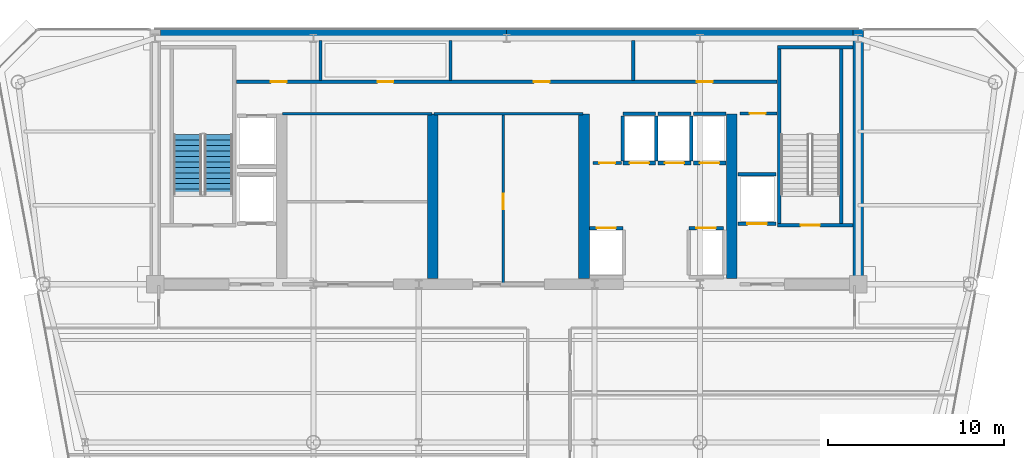
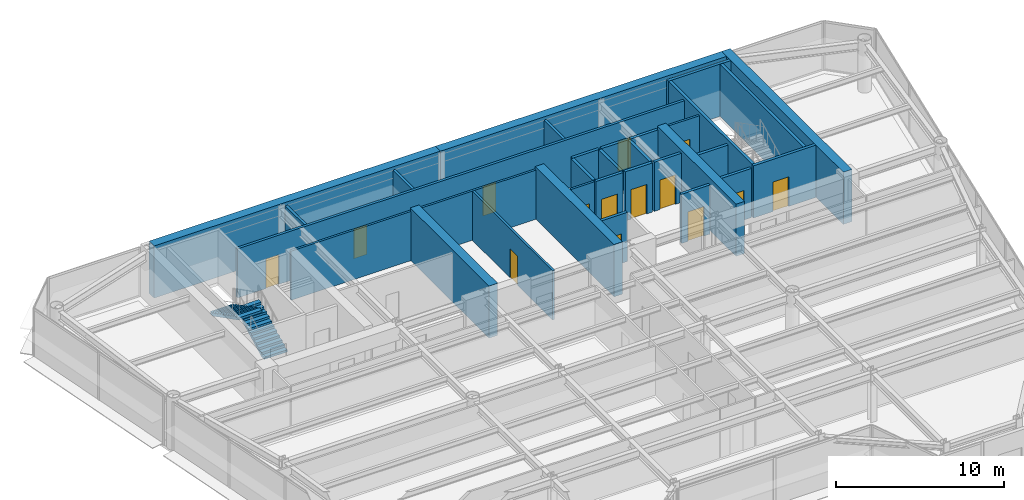
# One storey, part 11 of 16: 32 walls, 14 doors, 2 stair flights, 14 openings, 1 element without a shape of its own.
"""IFC4 building model written with IfcOpenShell, lengths in metres."""

from ifc_helpers import new_model, si_unit, direction, frame, frame_2d, origin, place, context, subcontext, project, spatial, polyline, rectangle, outline, extrude, source, transform, mapped, material, layer, layer_set, type_object, element, fill, aggregate, save


model = new_model("IFC4")

# Units and contexts
model_context = context("Model", 3, precision=1e-05, world=origin(), true_north=direction((0.0, 1.0)))
body_context = subcontext(model_context, "Body", "Model", "MODEL_VIEW")
ifc_project = project(units=[si_unit("LENGTHUNIT", "METRE"), si_unit("AREAUNIT", "SQUARE_METRE"), si_unit("VOLUMEUNIT", "CUBIC_METRE"), si_unit("PLANEANGLEUNIT", "RADIAN"), si_unit("MASSUNIT", "GRAM", prefix="KILO")], contexts=[model_context])

# Site, building, storey
site_placement = place(None, origin())
site = spatial("IfcSite", under=ifc_project, at=site_placement, CompositionType="ELEMENT")
building_placement = place(site_placement, origin())
building = spatial("IfcBuilding", under=site, at=building_placement, Name="Vaeldorn Concourse Tower", CompositionType="ELEMENT")
storey_placement = place(building_placement, frame((0.0, 0.0, 207.0)))
storey = spatial("IfcBuildingStorey", under=building, at=storey_placement, Name="L53", CompositionType="ELEMENT", Elevation=207.0)

# Walls
ifc_material_1 = material(Name="Concrete C50/60", Category="concrete")
ifc_layer_1 = layer(ifc_material_1, 0.60009765625)
ifc_layer_set_1 = layer_set([ifc_layer_1], Name="Concrete C50/60")
wall_type_1 = type_object("IfcWallType", Name="WL-CORE-600", PredefinedType="SHEAR", material=ifc_layer_set_1)
for number, where, z_axis, x_axis, name in (
    (1, (14.303955078125, 50.699951171875, 0.0), (0.0, 0.0, 1.0), (1.0, 0.0, 0.0), "Rear Core Shear Wall L53 N1"),
    (2, (34.001953125, 50.699951171875, 0.0), (0.0, 0.0, 1.0), (1.0, 0.0, 0.0), "Rear Core Shear Wall L53 N2"),
):
    element("IfcWall", number, at=place(storey_placement, frame(where, z_axis=z_axis, x_axis=x_axis)), inside=storey, type_object=wall_type_1, Name=name, PredefinedType="SHEAR", context=body_context, shape_type="SweptSolid", body=[
        extrude(rectangle(XDim=19.694091796875, YDim=0.60009765625, at=frame_2d((9.84716796875, 0.0))), origin(), (0.0, 0.0, 1.0), 3.800048828125),
    ])
wall_1_placement = place(storey_placement, frame((54.0, 36.5, 0.0), z_axis=(0.0, 0.0, 1.0), x_axis=(0.0, 1.0, 0.0)))
element("IfcWall", 3, at=wall_1_placement, inside=storey, type_object=wall_type_1, Name="Rear Core Shear Wall L53 E1", PredefinedType="SHEAR", context=body_context, shape_type="SweptSolid", body=[
    extrude(rectangle(XDim=14.5, YDim=0.60009765625, at=frame_2d((7.25, 0.0))), origin(), (0.0, 0.0, 1.0), 3.800048828125),
])
for number, where, z_axis, x_axis, name in (
    (4, (29.800048828125, 36.820068359375, 0.0), (0.0, 0.0, 1.0), (0.0, 1.0, 0.0), "Rear Core Shear Wall L53 M2"),
    (5, (38.39990234375, 36.820068359375, 0.0), (0.0, 0.0, 1.0), (0.0, 1.0, 0.0), "Rear Core Shear Wall L53 M3"),
    (6, (46.800048828125, 36.820068359375, 0.0), (0.0, 0.0, 1.0), (0.0, 1.0, 0.0), "Rear Core Shear Wall L53 M4"),
):
    element("IfcWall", number, at=place(storey_placement, frame(where, z_axis=z_axis, x_axis=x_axis)), inside=storey, type_object=wall_type_1, Name=name, PredefinedType="SHEAR", context=body_context, shape_type="SweptSolid", body=[
        extrude(rectangle(XDim=9.3798828125, YDim=0.60009765625, at=frame_2d((4.68994140625, 0.0))), origin(), (0.0, 0.0, 1.0), 3.800048828125),
    ])
ifc_material_2 = material(Name="Gypsum Board Partition", Category="gypsum")
ifc_layer_2 = layer(ifc_material_2, 0.14990234375)
ifc_layer_set_2 = layer_set([ifc_layer_2], Name="Gypsum Board Partition")
wall_type_2 = type_object("IfcWallType", Name="WL-PART-150", PredefinedType="PARTITIONING", material=ifc_layer_set_2)
for number, where, z_axis, x_axis, name in (
    (7, (21.25, 46.199951171875, 0.0), (0.0, 0.0, 1.0), (1.0, 0.0, 0.0), "Interior Wall CW-L53-R1N"),
    (8, (29.85009765625, 46.199951171875, 0.0), (0.0, 0.0, 1.0), (1.0, 0.0, 0.0), "Interior Wall CW-L53-R2N"),
):
    element("IfcWall", number, at=place(storey_placement, frame(where, z_axis=z_axis, x_axis=x_axis)), inside=storey, type_object=wall_type_2, Name=name, PredefinedType="PARTITIONING", context=body_context, shape_type="SweptSolid", body=[
        extrude(rectangle(XDim=8.5, YDim=0.14990234375, at=frame_2d((4.25, 0.0))), origin(), (0.0, 0.0, 1.0), 3.580078125),
    ])

# Wall, opening, door
wall_2_placement = place(storey_placement, frame((33.800048828125, 36.56005859375, 0.0), z_axis=(0.0, 0.0, 1.0), x_axis=(0.0, 1.0, 0.0)))
wall_2 = element("IfcWall", 9, at=wall_2_placement, inside=storey, type_object=wall_type_2, Name="Interior Wall CW-L53-R2M", PredefinedType="PARTITIONING", context=body_context, shape_type="SweptSolid", body=[
    extrude(rectangle(XDim=9.579833984375, YDim=0.14990234375, at=frame_2d((4.7900390625, 0.0))), origin(), (0.0, 0.0, 1.0), 3.580078125),
])
opening_1_placement = place(wall_2_placement, frame((4.199951171875, 0.0, 0.0)))
opening_1 = element("IfcOpeningElement", 10, at=opening_1_placement, cuts=wall_2, Name="Opening D-02", PredefinedType="OPENING", context=body_context, shape_type="SweptSolid", body=[
    extrude(rectangle(XDim=0.89990234375, YDim=2.10009765625, at=frame_2d((0.449951171875, 1.050048828125))), frame((0.0, 0.0849609375, 0.0), z_axis=(0.0, -1.0, 0.0), x_axis=(1.0, 0.0, 0.0)), (0.0, 0.0, 1.0), 0.169921875),
])
ifc_material_3 = material(Name="Fire-Rated Timber Leaf", Category="wood")
door_type_1 = type_object("IfcDoorType", Name="DR-FD30-900", OperationType="NOTDEFINED", PredefinedType="DOOR", material=ifc_material_3)
shared_shape_1 = source(origin(), body_context, "Body", "SweptSolid", [
    extrude(rectangle(XDim=0.89990234375, YDim=2.10009765625, at=frame_2d((0.449951171875, 1.050048828125))), frame((0.0, 0.02490234375, 0.0), z_axis=(0.0, -1.0, 0.0), x_axis=(1.0, 0.0, 0.0)), (0.0, 0.0, 1.0), 0.050048828125),
])
door_1_placement = place(opening_1_placement, origin())
door_1 = element("IfcDoor", 11, at=door_1_placement, inside=storey, type_object=door_type_1, Name="Interior Door DR-L53-R2E", OperationType="SINGLE_SWING_RIGHT", OverallHeight=2.10009765625, OverallWidth=0.89990234375, PredefinedType="DOOR", context=body_context, shape_type="MappedRepresentation", body=[
    mapped(shared_shape_1, transform((0.0, 0.0, 0.0), scale=1.0)),
])
fill(opening_1, door_1)

wall_3_placement = place(storey_placement, frame((47.280029296875, 46.219970703125, 0.0), z_axis=(0.0, 0.0, 1.0), x_axis=(1.0, 0.0, 0.0)))
wall_3 = element("IfcWall", 12, at=wall_3_placement, inside=storey, type_object=wall_type_2, Name="Interior Wall CW-L53-CRSE-N", PredefinedType="PARTITIONING", context=body_context, shape_type="SweptSolid", body=[
    extrude(rectangle(XDim=2.099853515625, YDim=0.14990234375, at=frame_2d((1.0498046875, 0.0))), origin(), (0.0, 0.0, 1.0), 3.580078125),
])
opening_2_placement = place(wall_3_placement, frame((0.550048828125, 0.0, 0.0)))
opening_2 = element("IfcOpeningElement", 13, at=opening_2_placement, cuts=wall_3, Name="Opening D-02", PredefinedType="OPENING", context=body_context, shape_type="SweptSolid", body=[
    extrude(rectangle(XDim=0.89990234375, YDim=2.10009765625, at=frame_2d((0.449951171875, 1.050048828125))), frame((0.0, 0.0849609375, 0.0), z_axis=(0.0, -1.0, 0.0), x_axis=(1.0, 0.0, 0.0)), (0.0, 0.0, 1.0), 0.169921875),
])
door_2_placement = place(opening_2_placement, origin())
door_2 = element("IfcDoor", 14, at=door_2_placement, inside=storey, type_object=door_type_1, Name="Interior Door DR-L53-CRSE", OperationType="SINGLE_SWING_RIGHT", OverallHeight=2.10009765625, OverallWidth=0.89990234375, PredefinedType="DOOR", context=body_context, shape_type="MappedRepresentation", body=[
    mapped(shared_shape_1, transform((0.0, 0.0, 0.0), scale=1.0)),
])
fill(opening_2, door_2)

wall_4_placement = place(storey_placement, frame((38.919921875, 43.39990234375, 0.0), z_axis=(0.0, 0.0, 1.0), x_axis=(1.0, 0.0, 0.0)))
wall_4 = element("IfcWall", 15, at=wall_4_placement, inside=storey, type_object=wall_type_2, Name="Interior Wall CW-L53-CCLINK", PredefinedType="PARTITIONING", context=body_context, shape_type="SweptSolid", body=[
    extrude(rectangle(XDim=1.60009765625, YDim=0.14990234375, at=frame_2d((0.800048828125, 0.0))), origin(), (0.0, 0.0, 1.0), 3.580078125),
])
opening_3_placement = place(wall_4_placement, frame((0.35009765625, 0.0, 0.0)))
opening_3 = element("IfcOpeningElement", 16, at=opening_3_placement, cuts=wall_4, Name="Opening D-02", PredefinedType="OPENING", context=body_context, shape_type="SweptSolid", body=[
    extrude(rectangle(XDim=0.89990234375, YDim=2.10009765625, at=frame_2d((0.449951171875, 1.050048828125))), frame((0.0, 0.0849609375, 0.0), z_axis=(0.0, -1.0, 0.0), x_axis=(1.0, 0.0, 0.0)), (0.0, 0.0, 1.0), 0.169921875),
])
door_3_placement = place(opening_3_placement, origin())
door_3 = element("IfcDoor", 17, at=door_3_placement, inside=storey, type_object=door_type_1, Name="Interior Door DR-L53-CCLINK", OperationType="SINGLE_SWING_LEFT", OverallHeight=2.10009765625, OverallWidth=0.89990234375, PredefinedType="DOOR", context=body_context, shape_type="MappedRepresentation", body=[
    mapped(shared_shape_1, transform((0.0, 0.0, 0.0), scale=1.0)),
])
fill(opening_3, door_3)

# Wall, openings, doors
ifc_layer_3 = layer(ifc_material_2, 0.179931640625)
ifc_layer_set_3 = layer_set([ifc_layer_3], Name="Gypsum Board Partition")
wall_type_3 = type_object("IfcWallType", Name="WL-PLUMB-180", PredefinedType="PLUMBINGWALL", material=ifc_layer_set_3)
wall_5_placement = place(storey_placement, frame((18.6201171875, 48.02001953125, 0.0), z_axis=(0.0, 0.0, 1.0), x_axis=(1.0, 0.0, 0.0)))
wall_5 = element("IfcWall", 18, at=wall_5_placement, inside=storey, type_object=wall_type_3, Name="Interior Wall CW-L53-NS0", PredefinedType="PLUMBINGWALL", context=body_context, shape_type="SweptSolid", body=[
    extrude(rectangle(XDim=30.759765625, YDim=0.179931640625, at=frame_2d((15.3798828125, 0.0))), origin(), (0.0, 0.0, 1.0), 3.580078125),
])
opening_4_placement = place(wall_5_placement, frame((1.955078125, 0.0, 0.0)))
opening_4 = element("IfcOpeningElement", 19, at=opening_4_placement, cuts=wall_5, Name="Opening D-03", PredefinedType="OPENING", context=body_context, shape_type="SweptSolid", body=[
    extrude(rectangle(XDim=0.89990234375, YDim=2.14990234375, at=frame_2d((0.449951171875, 1.074951171875))), frame((0.0, 0.10009765625, 0.0), z_axis=(0.0, -1.0, 0.0), x_axis=(1.0, 0.0, 0.0)), (0.0, 0.0, 1.0), 0.199951171875),
])
opening_5_placement = place(wall_5_placement, frame((8.030029296875, 0.0, 0.0)))
opening_5 = element("IfcOpeningElement", 20, at=opening_5_placement, cuts=wall_5, Name="Opening D-03", PredefinedType="OPENING", context=body_context, shape_type="SweptSolid", body=[
    extrude(rectangle(XDim=0.89990234375, YDim=2.14990234375, at=frame_2d((0.449951171875, 1.074951171875))), frame((0.0, 0.10009765625, 0.0), z_axis=(0.0, -1.0, 0.0), x_axis=(1.0, 0.0, 0.0)), (0.0, 0.0, 1.0), 0.199951171875),
])
opening_6_placement = place(wall_5_placement, frame((16.929931640625, 0.0, 0.0)))
opening_6 = element("IfcOpeningElement", 21, at=opening_6_placement, cuts=wall_5, Name="Opening D-03", PredefinedType="OPENING", context=body_context, shape_type="SweptSolid", body=[
    extrude(rectangle(XDim=0.89990234375, YDim=2.14990234375, at=frame_2d((0.449951171875, 1.074951171875))), frame((0.0, 0.10009765625, 0.0), z_axis=(0.0, -1.0, 0.0), x_axis=(1.0, 0.0, 0.0)), (0.0, 0.0, 1.0), 0.199951171875),
])
opening_7_placement = place(wall_5_placement, frame((26.205078125, 0.0, 0.0)))
opening_7 = element("IfcOpeningElement", 22, at=opening_7_placement, cuts=wall_5, Name="Opening D-03", PredefinedType="OPENING", context=body_context, shape_type="SweptSolid", body=[
    extrude(rectangle(XDim=0.89990234375, YDim=2.14990234375, at=frame_2d((0.449951171875, 1.074951171875))), frame((0.0, 0.10009765625, 0.0), z_axis=(0.0, -1.0, 0.0), x_axis=(1.0, 0.0, 0.0)), (0.0, 0.0, 1.0), 0.199951171875),
])
ifc_material_4 = material(Name="Acoustic Bronze-Framed Glass Door", Category="glass")
door_type_2 = type_object("IfcDoorType", Name="DR-INT-900", OperationType="NOTDEFINED", PredefinedType="DOOR", material=ifc_material_4)
shared_shape_2 = source(origin(), body_context, "Body", "SweptSolid", [
    extrude(rectangle(XDim=0.89990234375, YDim=2.14990234375, at=frame_2d((0.449951171875, 1.074951171875))), frame((0.0, 0.02490234375, 0.0), z_axis=(0.0, -1.0, 0.0), x_axis=(1.0, 0.0, 0.0)), (0.0, 0.0, 1.0), 0.050048828125),
])
door_4_placement = place(opening_4_placement, origin())
door_4 = element("IfcDoor", 23, at=door_4_placement, inside=storey, type_object=door_type_2, Name="Interior Door DR-L53-CS1", OperationType="SINGLE_SWING_LEFT", OverallHeight=2.14990234375, OverallWidth=0.89990234375, PredefinedType="DOOR", context=body_context, shape_type="MappedRepresentation", body=[
    mapped(shared_shape_2, transform((0.0, 0.0, 0.0), scale=1.0)),
])
fill(opening_4, door_4)
door_5_placement = place(opening_5_placement, origin())
door_5 = element("IfcDoor", 24, at=door_5_placement, inside=storey, type_object=door_type_2, Name="Interior Door DR-L53-CS2", OperationType="SINGLE_SWING_RIGHT", OverallHeight=2.14990234375, OverallWidth=0.89990234375, PredefinedType="DOOR", context=body_context, shape_type="MappedRepresentation", body=[
    mapped(shared_shape_2, transform((0.0, 0.0, 0.0), scale=1.0)),
])
fill(opening_5, door_5)
door_6_placement = place(opening_6_placement, origin())
door_6 = element("IfcDoor", 25, at=door_6_placement, inside=storey, type_object=door_type_2, Name="Interior Door DR-L53-CS3", OperationType="SINGLE_SWING_LEFT", OverallHeight=2.14990234375, OverallWidth=0.89990234375, PredefinedType="DOOR", context=body_context, shape_type="MappedRepresentation", body=[
    mapped(shared_shape_2, transform((0.0, 0.0, 0.0), scale=1.0)),
])
fill(opening_6, door_6)
door_7_placement = place(opening_7_placement, origin())
door_7 = element("IfcDoor", 26, at=door_7_placement, inside=storey, type_object=door_type_2, Name="Interior Door DR-L53-CS4", OperationType="SINGLE_SWING_RIGHT", OverallHeight=2.14990234375, OverallWidth=0.89990234375, PredefinedType="DOOR", context=body_context, shape_type="MappedRepresentation", body=[
    mapped(shared_shape_2, transform((0.0, 0.0, 0.0), scale=1.0)),
])
fill(opening_7, door_7)

# Walls
for number, where, z_axis, x_axis, name in (
    (27, (23.39990234375, 48.10009765625, 0.0), (0.0, 0.0, 1.0), (0.0, 1.0, 0.0), "Interior Wall CW-L53-NDIV1"),
    (28, (30.800048828125, 48.10009765625, 0.0), (0.0, 0.0, 1.0), (0.0, 1.0, 0.0), "Interior Wall CW-L53-NDIV2"),
    (29, (41.199951171875, 48.10009765625, 0.0), (0.0, 0.0, 1.0), (0.0, 1.0, 0.0), "Interior Wall CW-L53-NDIV3"),
):
    element("IfcWall", number, at=place(storey_placement, frame(where, z_axis=z_axis, x_axis=x_axis)), inside=storey, type_object=wall_type_3, Name=name, PredefinedType="PLUMBINGWALL", context=body_context, shape_type="SweptSolid", body=[
        extrude(rectangle(XDim=2.27978515625, YDim=0.179931640625, at=frame_2d((1.139892578125, 0.0))), origin(), (0.0, 0.0, 1.0), 3.580078125),
    ])

# Wall, opening, door
ifc_layer_4 = layer(ifc_material_1, 0.199951171875)
ifc_layer_set_4 = layer_set([ifc_layer_4], Name="Concrete C50/60")
wall_type_4 = type_object("IfcWallType", Name="WL-SHAFT-200", PredefinedType="SOLIDWALL", material=ifc_layer_set_4)
wall_6_placement = place(storey_placement, frame((49.39990234375, 39.85009765625, 0.0), z_axis=(0.0, 0.0, 1.0), x_axis=(1.0, 0.0, 0.0)))
wall_6 = element("IfcWall", 30, at=wall_6_placement, inside=storey, type_object=wall_type_4, Name="Stair Shaft Wall CW-L53-ST-2-S", PredefinedType="SOLIDWALL", context=body_context, shape_type="SweptSolid", body=[
    extrude(rectangle(XDim=4.300048828125, YDim=0.199951171875, at=frame_2d((2.14990234375, 0.0))), origin(), (0.0, 0.0, 1.0), 3.800048828125),
])
opening_8_placement = place(wall_6_placement, frame((1.324951171875, 0.0, 0.0)))
opening_8 = element("IfcOpeningElement", 31, at=opening_8_placement, cuts=wall_6, Name="Opening D-01", PredefinedType="OPENING", context=body_context, shape_type="SweptSolid", body=[
    extrude(rectangle(XDim=1.10009765625, YDim=2.14990234375, at=frame_2d((0.550048828125, 1.074951171875))), frame((0.0, 0.10986328125, 0.0), z_axis=(0.0, -1.0, 0.0), x_axis=(1.0, 0.0, 0.0)), (0.0, 0.0, 1.0), 0.219970703125),
])
ifc_material_5 = material(Name="Fire-Rated Timber and Steel Leaf", Category="steel")
door_type_3 = type_object("IfcDoorType", Name="DR-FD60-1100", OperationType="NOTDEFINED", PredefinedType="DOOR", material=ifc_material_5)
shared_shape_3 = source(origin(), body_context, "Body", "SweptSolid", [
    extrude(rectangle(XDim=1.10009765625, YDim=2.14990234375, at=frame_2d((0.550048828125, 1.074951171875))), frame((0.0, 0.02490234375, 0.0), z_axis=(0.0, -1.0, 0.0), x_axis=(1.0, 0.0, 0.0)), (0.0, 0.0, 1.0), 0.050048828125),
])
door_8_placement = place(opening_8_placement, origin())
door_8 = element("IfcDoor", 32, at=door_8_placement, inside=storey, type_object=door_type_3, Name="Interior Door DR-L53-ST-2", OperationType="SINGLE_SWING_RIGHT", OverallHeight=2.14990234375, OverallWidth=1.10009765625, PredefinedType="DOOR", context=body_context, shape_type="MappedRepresentation", body=[
    mapped(shared_shape_3, transform((0.0, 0.0, 0.0), scale=1.0)),
])
fill(opening_8, door_8)

# Walls
wall_7_placement = place(storey_placement, frame((49.39990234375, 50.0, 0.0), z_axis=(0.0, 0.0, 1.0), x_axis=(1.0, 0.0, 0.0)))
element("IfcWall", 33, at=wall_7_placement, inside=storey, type_object=wall_type_4, Name="Stair Shaft Wall CW-L53-ST-2-N", PredefinedType="SOLIDWALL", context=body_context, shape_type="SweptSolid", body=[
    extrude(rectangle(XDim=4.300048828125, YDim=0.199951171875, at=frame_2d((2.14990234375, 0.0))), origin(), (0.0, 0.0, 1.0), 3.800048828125),
])
for number, where, z_axis, x_axis, name in (
    (34, (49.5, 39.9599609375, 0.0), (0.0, 0.0, 1.0), (0.0, 1.0, 0.0), "Stair Shaft Wall CW-L53-ST-2-W"),
    (35, (53.050048828125, 39.9599609375, 0.0), (0.0, 0.0, 1.0), (0.0, 1.0, 0.0), "Stair Shaft Wall CW-L53-ST-2-E"),
):
    element("IfcWall", number, at=place(storey_placement, frame(where, z_axis=z_axis, x_axis=x_axis)), inside=storey, type_object=wall_type_4, Name=name, PredefinedType="SOLIDWALL", context=body_context, shape_type="SweptSolid", body=[
        extrude(rectangle(XDim=9.929931640625, YDim=0.199951171875, at=frame_2d((4.96484375, 0.0))), origin(), (0.0, 0.0, 1.0), 3.800048828125),
    ])

# Wall, opening, door
wall_8_placement = place(storey_placement, frame((38.7099609375, 39.699951171875, 0.0), z_axis=(0.0, 0.0, 1.0), x_axis=(1.0, 0.0, 0.0)))
wall_8 = element("IfcWall", 36, at=wall_8_placement, inside=storey, type_object=wall_type_4, Name="Interior Wall CW-L53-LF-LF-13", PredefinedType="SOLIDWALL", context=body_context, shape_type="SweptSolid", body=[
    extrude(rectangle(XDim=1.919921875, YDim=0.199951171875, at=frame_2d((0.9599609375, 0.0))), origin(), (0.0, 0.0, 1.0), 3.580078125),
])
opening_9_placement = place(wall_8_placement, frame((0.409912109375, 0.0, 0.0)))
opening_9 = element("IfcOpeningElement", 37, at=opening_9_placement, cuts=wall_8, Name="Opening LD-1", PredefinedType="OPENING", context=body_context, shape_type="SweptSolid", body=[
    extrude(rectangle(XDim=1.10009765625, YDim=2.14990234375, at=frame_2d((0.550048828125, 1.074951171875))), frame((0.0, 0.10986328125, 0.0), z_axis=(0.0, -1.0, 0.0), x_axis=(1.0, 0.0, 0.0)), (0.0, 0.0, 1.0), 0.219970703125),
])
ifc_material_6 = material(Name="Anodised Bronze Aluminium", Category="aluminium")
door_type_4 = type_object("IfcDoorType", Name="DR-LIFT-SLIDE-1100", OperationType="DOUBLE_DOOR_SLIDING", PredefinedType="DOOR", material=ifc_material_6)
door_9_placement = place(opening_9_placement, origin())
door_9 = element("IfcDoor", 38, at=door_9_placement, inside=storey, type_object=door_type_4, Name="Lift Landing Door LD-L53-LF-13", OperationType="DOUBLE_DOOR_SLIDING", OverallHeight=2.14990234375, OverallWidth=1.10009765625, PredefinedType="DOOR", context=body_context, shape_type="MappedRepresentation", body=[
    mapped(shared_shape_3, transform((0.0, 0.0, 0.0), scale=1.0)),
])
fill(opening_9, door_9)

wall_9_placement = place(storey_placement, frame((44.3701171875, 39.699951171875, 0.0), z_axis=(0.0, 0.0, 1.0), x_axis=(1.0, 0.0, 0.0)))
wall_9 = element("IfcWall", 39, at=wall_9_placement, inside=storey, type_object=wall_type_4, Name="Interior Wall CW-L53-LF-LF-14", PredefinedType="SOLIDWALL", context=body_context, shape_type="SweptSolid", body=[
    extrude(rectangle(XDim=1.9599609375, YDim=0.199951171875, at=frame_2d((0.97998046875, 0.0))), origin(), (0.0, 0.0, 1.0), 3.580078125),
])
opening_10_placement = place(wall_9_placement, frame((0.429931640625, 0.0, 0.0)))
opening_10 = element("IfcOpeningElement", 40, at=opening_10_placement, cuts=wall_9, Name="Opening LD-1", PredefinedType="OPENING", context=body_context, shape_type="SweptSolid", body=[
    extrude(rectangle(XDim=1.10009765625, YDim=2.14990234375, at=frame_2d((0.550048828125, 1.074951171875))), frame((0.0, 0.10986328125, 0.0), z_axis=(0.0, -1.0, 0.0), x_axis=(1.0, 0.0, 0.0)), (0.0, 0.0, 1.0), 0.219970703125),
])
door_10_placement = place(opening_10_placement, origin())
door_10 = element("IfcDoor", 41, at=door_10_placement, inside=storey, type_object=door_type_4, Name="Lift Landing Door LD-L53-LF-14", OperationType="DOUBLE_DOOR_SLIDING", OverallHeight=2.14990234375, OverallWidth=1.10009765625, PredefinedType="DOOR", context=body_context, shape_type="MappedRepresentation", body=[
    mapped(shared_shape_3, transform((0.0, 0.0, 0.0), scale=1.0)),
])
fill(opening_10, door_10)

wall_10_placement = place(storey_placement, frame((40.6201171875, 43.39990234375, 0.0), z_axis=(0.0, 0.0, 1.0), x_axis=(1.0, 0.0, 0.0)))
wall_10 = element("IfcWall", 42, at=wall_10_placement, inside=storey, type_object=wall_type_4, Name="Interior Wall CW-L53-LF-LF-15", PredefinedType="SOLIDWALL", context=body_context, shape_type="SweptSolid", body=[
    extrude(rectangle(XDim=1.85986328125, YDim=0.199951171875, at=frame_2d((0.929931640625, 0.0))), origin(), (0.0, 0.0, 1.0), 3.580078125),
])
opening_11_placement = place(wall_10_placement, frame((0.3798828125, 0.0, 0.0)))
opening_11 = element("IfcOpeningElement", 43, at=opening_11_placement, cuts=wall_10, Name="Opening LD-1", PredefinedType="OPENING", context=body_context, shape_type="SweptSolid", body=[
    extrude(rectangle(XDim=1.10009765625, YDim=2.14990234375, at=frame_2d((0.550048828125, 1.074951171875))), frame((0.0, 0.10986328125, 0.0), z_axis=(0.0, -1.0, 0.0), x_axis=(1.0, 0.0, 0.0)), (0.0, 0.0, 1.0), 0.219970703125),
])
door_11_placement = place(opening_11_placement, origin())
door_11 = element("IfcDoor", 44, at=door_11_placement, inside=storey, type_object=door_type_4, Name="Lift Landing Door LD-L53-LF-15", OperationType="DOUBLE_DOOR_SLIDING", OverallHeight=2.14990234375, OverallWidth=1.10009765625, PredefinedType="DOOR", context=body_context, shape_type="MappedRepresentation", body=[
    mapped(shared_shape_3, transform((0.0, 0.0, 0.0), scale=1.0)),
])
fill(opening_11, door_11)

# Walls
wall_11_placement = place(storey_placement, frame((40.6201171875, 46.199951171875, 0.0), z_axis=(0.0, 0.0, 1.0), x_axis=(1.0, 0.0, 0.0)))
element("IfcWall", 45, at=wall_11_placement, inside=storey, type_object=wall_type_4, Name="Interior Wall CW-L53-LFB-LF-15", PredefinedType="SOLIDWALL", context=body_context, shape_type="SweptSolid", body=[
    extrude(rectangle(XDim=1.85986328125, YDim=0.199951171875, at=frame_2d((0.929931640625, 0.0))), origin(), (0.0, 0.0, 1.0), 3.580078125),
])
for number, where, z_axis, x_axis, name in (
    (46, (40.60009765625, 43.52001953125, 0.0), (0.0, 0.0, 1.0), (0.0, 1.0, 0.0), "Interior Wall CW-L53-LFW-LF-15"),
    (47, (42.5, 43.52001953125, 0.0), (0.0, 0.0, 1.0), (0.0, 1.0, 0.0), "Interior Wall CW-L53-LFE-LF-15"),
):
    element("IfcWall", number, at=place(storey_placement, frame(where, z_axis=z_axis, x_axis=x_axis)), inside=storey, type_object=wall_type_4, Name=name, PredefinedType="SOLIDWALL", context=body_context, shape_type="SweptSolid", body=[
        extrude(rectangle(XDim=2.56005859375, YDim=0.199951171875, at=frame_2d((1.280029296875, 0.0))), origin(), (0.0, 0.0, 1.0), 3.580078125),
    ])

# Wall, opening, door
wall_12_placement = place(storey_placement, frame((42.6201171875, 43.39990234375, 0.0), z_axis=(0.0, 0.0, 1.0), x_axis=(1.0, 0.0, 0.0)))
wall_12 = element("IfcWall", 48, at=wall_12_placement, inside=storey, type_object=wall_type_4, Name="Interior Wall CW-L53-LF-LF-16", PredefinedType="SOLIDWALL", context=body_context, shape_type="SweptSolid", body=[
    extrude(rectangle(XDim=1.85986328125, YDim=0.199951171875, at=frame_2d((0.929931640625, 0.0))), origin(), (0.0, 0.0, 1.0), 3.580078125),
])
opening_12_placement = place(wall_12_placement, frame((0.3798828125, 0.0, 0.0)))
opening_12 = element("IfcOpeningElement", 49, at=opening_12_placement, cuts=wall_12, Name="Opening LD-1", PredefinedType="OPENING", context=body_context, shape_type="SweptSolid", body=[
    extrude(rectangle(XDim=1.10009765625, YDim=2.14990234375, at=frame_2d((0.550048828125, 1.074951171875))), frame((0.0, 0.10986328125, 0.0), z_axis=(0.0, -1.0, 0.0), x_axis=(1.0, 0.0, 0.0)), (0.0, 0.0, 1.0), 0.219970703125),
])
door_12_placement = place(opening_12_placement, origin())
door_12 = element("IfcDoor", 50, at=door_12_placement, inside=storey, type_object=door_type_4, Name="Lift Landing Door LD-L53-LF-16", OperationType="DOUBLE_DOOR_SLIDING", OverallHeight=2.14990234375, OverallWidth=1.10009765625, PredefinedType="DOOR", context=body_context, shape_type="MappedRepresentation", body=[
    mapped(shared_shape_3, transform((0.0, 0.0, 0.0), scale=1.0)),
])
fill(opening_12, door_12)

# Walls
wall_13_placement = place(storey_placement, frame((42.6201171875, 46.199951171875, 0.0), z_axis=(0.0, 0.0, 1.0), x_axis=(1.0, 0.0, 0.0)))
element("IfcWall", 51, at=wall_13_placement, inside=storey, type_object=wall_type_4, Name="Interior Wall CW-L53-LFB-LF-16", PredefinedType="SOLIDWALL", context=body_context, shape_type="SweptSolid", body=[
    extrude(rectangle(XDim=1.85986328125, YDim=0.199951171875, at=frame_2d((0.929931640625, 0.0))), origin(), (0.0, 0.0, 1.0), 3.580078125),
])
wall_14_placement = place(storey_placement, frame((44.5, 43.52001953125, 0.0), z_axis=(0.0, 0.0, 1.0), x_axis=(0.0, 1.0, 0.0)))
element("IfcWall", 52, at=wall_14_placement, inside=storey, type_object=wall_type_4, Name="Interior Wall CW-L53-LFE-LF-16", PredefinedType="SOLIDWALL", context=body_context, shape_type="SweptSolid", body=[
    extrude(rectangle(XDim=2.56005859375, YDim=0.199951171875, at=frame_2d((1.280029296875, 0.0))), origin(), (0.0, 0.0, 1.0), 3.580078125),
])

# Wall, opening, door
wall_15_placement = place(storey_placement, frame((44.6201171875, 43.39990234375, 0.0), z_axis=(0.0, 0.0, 1.0), x_axis=(1.0, 0.0, 0.0)))
wall_15 = element("IfcWall", 53, at=wall_15_placement, inside=storey, type_object=wall_type_4, Name="Interior Wall CW-L53-LF-LF-17", PredefinedType="SOLIDWALL", context=body_context, shape_type="SweptSolid", body=[
    extrude(rectangle(XDim=1.85986328125, YDim=0.199951171875, at=frame_2d((0.929931640625, 0.0))), origin(), (0.0, 0.0, 1.0), 3.580078125),
])
opening_13_placement = place(wall_15_placement, frame((0.3798828125, 0.0, 0.0)))
opening_13 = element("IfcOpeningElement", 54, at=opening_13_placement, cuts=wall_15, Name="Opening LD-1", PredefinedType="OPENING", context=body_context, shape_type="SweptSolid", body=[
    extrude(rectangle(XDim=1.10009765625, YDim=2.14990234375, at=frame_2d((0.550048828125, 1.074951171875))), frame((0.0, 0.10986328125, 0.0), z_axis=(0.0, -1.0, 0.0), x_axis=(1.0, 0.0, 0.0)), (0.0, 0.0, 1.0), 0.219970703125),
])
door_13_placement = place(opening_13_placement, origin())
door_13 = element("IfcDoor", 55, at=door_13_placement, inside=storey, type_object=door_type_4, Name="Lift Landing Door LD-L53-LF-17", OperationType="DOUBLE_DOOR_SLIDING", OverallHeight=2.14990234375, OverallWidth=1.10009765625, PredefinedType="DOOR", context=body_context, shape_type="MappedRepresentation", body=[
    mapped(shared_shape_3, transform((0.0, 0.0, 0.0), scale=1.0)),
])
fill(opening_13, door_13)

# Wall
wall_16_placement = place(storey_placement, frame((44.6201171875, 46.199951171875, 0.0), z_axis=(0.0, 0.0, 1.0), x_axis=(1.0, 0.0, 0.0)))
element("IfcWall", 56, at=wall_16_placement, inside=storey, type_object=wall_type_4, Name="Interior Wall CW-L53-LFB-LF-17", PredefinedType="SOLIDWALL", context=body_context, shape_type="SweptSolid", body=[
    extrude(rectangle(XDim=1.85986328125, YDim=0.199951171875, at=frame_2d((0.929931640625, 0.0))), origin(), (0.0, 0.0, 1.0), 3.580078125),
])

# Wall, opening, door
wall_17_placement = place(storey_placement, frame((47.169921875, 39.949951171875, 0.0), z_axis=(0.0, 0.0, 1.0), x_axis=(1.0, 0.0, 0.0)))
wall_17 = element("IfcWall", 57, at=wall_17_placement, inside=storey, type_object=wall_type_4, Name="Interior Wall CW-L53-LF-LF-FF2", PredefinedType="SOLIDWALL", context=body_context, shape_type="SweptSolid", body=[
    extrude(rectangle(XDim=2.16015625, YDim=0.199951171875, at=frame_2d((1.080078125, 0.0))), origin(), (0.0, 0.0, 1.0), 3.580078125),
])
opening_14_placement = place(wall_17_placement, frame((0.530029296875, 0.0, 0.0)))
opening_14 = element("IfcOpeningElement", 58, at=opening_14_placement, cuts=wall_17, Name="Opening LD-1", PredefinedType="OPENING", context=body_context, shape_type="SweptSolid", body=[
    extrude(rectangle(XDim=1.10009765625, YDim=2.14990234375, at=frame_2d((0.550048828125, 1.074951171875))), frame((0.0, 0.10986328125, 0.0), z_axis=(0.0, -1.0, 0.0), x_axis=(1.0, 0.0, 0.0)), (0.0, 0.0, 1.0), 0.219970703125),
])
door_14_placement = place(opening_14_placement, origin())
door_14 = element("IfcDoor", 59, at=door_14_placement, inside=storey, type_object=door_type_4, Name="Lift Landing Door LD-L53-LF-FF2", OperationType="DOUBLE_DOOR_SLIDING", OverallHeight=2.14990234375, OverallWidth=1.10009765625, PredefinedType="DOOR", context=body_context, shape_type="MappedRepresentation", body=[
    mapped(shared_shape_3, transform((0.0, 0.0, 0.0), scale=1.0)),
])
fill(opening_14, door_14)

# Wall
wall_18_placement = place(storey_placement, frame((47.169921875, 42.75, 0.0), z_axis=(0.0, 0.0, 1.0), x_axis=(1.0, 0.0, 0.0)))
element("IfcWall", 60, at=wall_18_placement, inside=storey, type_object=wall_type_4, Name="Interior Wall CW-L53-LFB-LF-FF2", PredefinedType="SOLIDWALL", context=body_context, shape_type="SweptSolid", body=[
    extrude(rectangle(XDim=2.16015625, YDim=0.199951171875, at=frame_2d((1.080078125, 0.0))), origin(), (0.0, 0.0, 1.0), 3.580078125),
])

# Stair, stair flights
ifc_material_7 = material(Name="Precast concrete C40/50", Category="concrete")
stair_type = type_object("IfcStairType", Name="STR-DOG-24x158", PredefinedType="HALF_TURN_STAIR", material=ifc_material_7)
stair_placement = place(storey_placement, origin())
stair = element("IfcStair", 61, at=stair_placement, inside=storey, type_object=stair_type, Name="L53 West Core Exit Stair ST-1", PredefinedType="HALF_TURN_STAIR")
stair_flight_type = type_object("IfcStairFlightType", Name="STF-STR-12x158", PredefinedType="STRAIGHT", material=ifc_material_7)
stair_flight_1_placement = place(storey_placement, frame((17.60009765625, 41.60009765625, 0.0), z_axis=(0.0, 0.0, 1.0), x_axis=(0.0, 1.0, 0.0)))
stair_flight_1 = element("IfcStairFlight", 62, at=stair_flight_1_placement, type_object=stair_flight_type, Name="ST-1 flight 1", NumberOfRisers=12, NumberOfTreads=11, PredefinedType="STRAIGHT", RiserHeight=0.158333333, TreadLength=0.31, context=body_context, shape_type="SweptSolid", body=[
    extrude(outline(polyline([(0.0, 0.0), (0.0, 0.158447265625), (0.31005859375, 0.158447265625), (0.31005859375, 0.316650390625), (0.6201171875, 0.316650390625), (0.6201171875, 0.47509765625), (0.929931640625, 0.47509765625), (0.929931640625, 0.63330078125), (1.239990234375, 0.63330078125), (1.239990234375, 0.791748046875), (1.550048828125, 0.791748046875), (1.550048828125, 0.949951171875), (1.860107421875, 0.949951171875), (1.860107421875, 1.1083984375), (2.169921875, 1.1083984375), (2.169921875, 1.2666015625), (2.47998046875, 1.2666015625), (2.47998046875, 1.425048828125), (2.7900390625, 1.425048828125), (2.7900390625, 1.583251953125), (3.10009765625, 1.583251953125), (3.10009765625, 1.74169921875), (3.409912109375, 1.74169921875), (3.409912109375, 1.89990234375), (3.409912109375, 1.5732421875), (0.32958984375, 0.0), (0.0, 0.0)])), frame((0.0, 0.800048828125, 0.0), z_axis=(0.0, -1.0, 0.0), x_axis=(1.0, 0.0, 0.0)), (0.0, 0.0, 1.0), 1.60009765625),
])
stair_flight_2_placement = place(storey_placement, frame((15.85009765625, 45.010009765625, 1.89990234375), z_axis=(0.0, 0.0, 1.0), x_axis=(0.0, -1.0, 0.0)))
stair_flight_2 = element("IfcStairFlight", 63, at=stair_flight_2_placement, type_object=stair_flight_type, Name="ST-1 flight 2", NumberOfRisers=12, NumberOfTreads=11, PredefinedType="STRAIGHT", RiserHeight=0.158333333, TreadLength=0.31, context=body_context, shape_type="SweptSolid", body=[
    extrude(outline(polyline([(0.0, 0.0), (0.0, 0.158447265625), (0.31005859375, 0.158447265625), (0.31005859375, 0.316650390625), (0.6201171875, 0.316650390625), (0.6201171875, 0.47509765625), (0.929931640625, 0.47509765625), (0.929931640625, 0.63330078125), (1.239990234375, 0.63330078125), (1.239990234375, 0.791748046875), (1.550048828125, 0.791748046875), (1.550048828125, 0.949951171875), (1.860107421875, 0.949951171875), (1.860107421875, 1.1083984375), (2.169921875, 1.1083984375), (2.169921875, 1.2666015625), (2.47998046875, 1.2666015625), (2.47998046875, 1.425048828125), (2.7900390625, 1.425048828125), (2.7900390625, 1.583251953125), (3.10009765625, 1.583251953125), (3.10009765625, 1.74169921875), (3.409912109375, 1.74169921875), (3.409912109375, 1.89990234375), (3.409912109375, 1.5732421875), (0.32958984375, 0.0), (0.0, 0.0)])), frame((0.0, 0.800048828125, 0.0), z_axis=(0.0, -1.0, 0.0), x_axis=(1.0, 0.0, 0.0)), (0.0, 0.0, 1.0), 1.60009765625),
])
aggregate(stair, [stair_flight_1, stair_flight_2])

save(model, "model.ifc")
